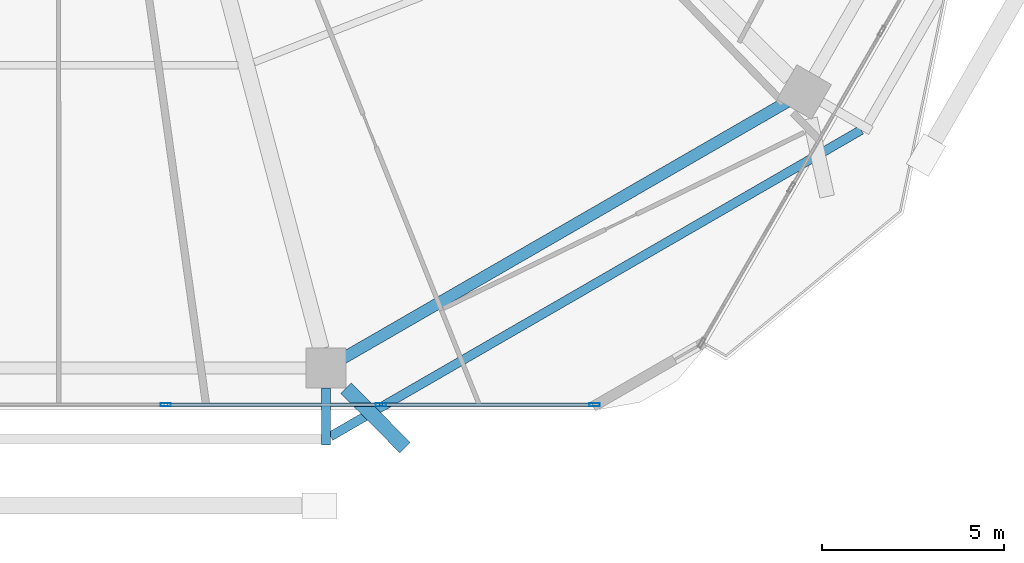
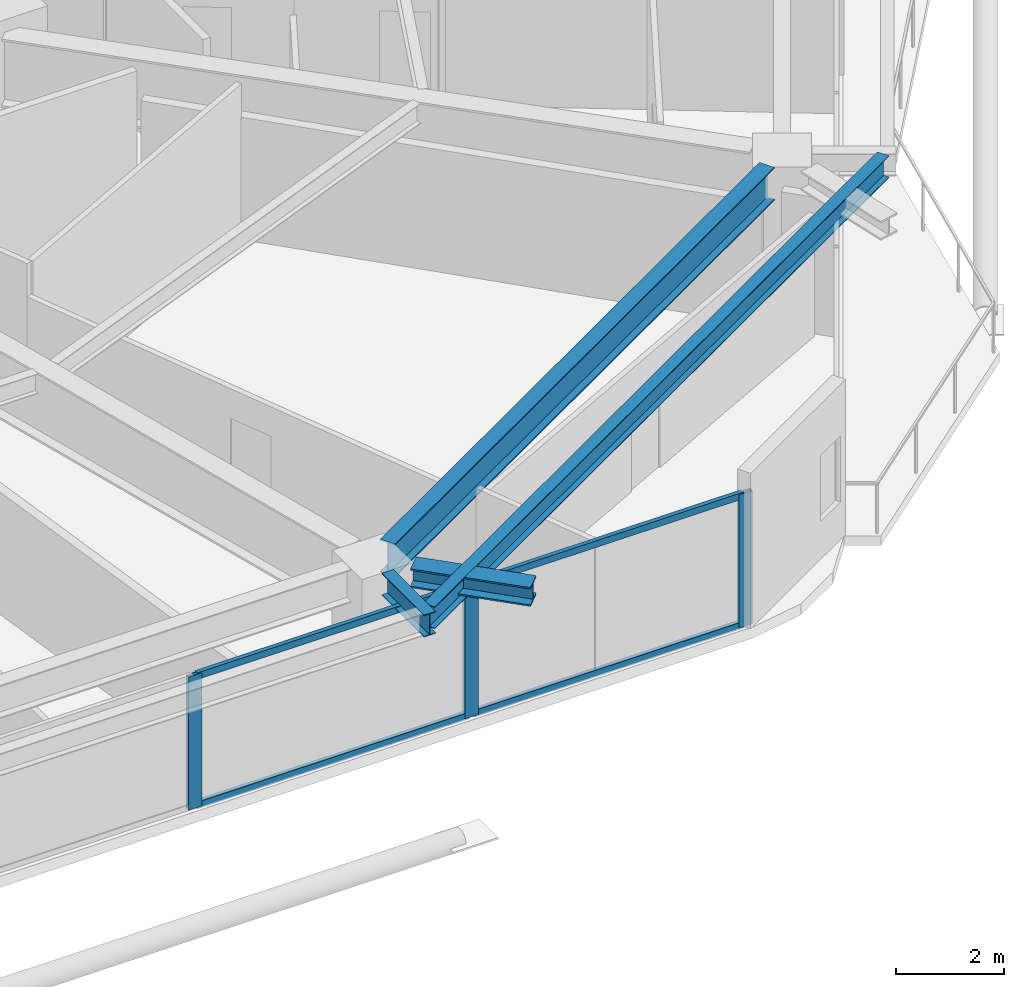
# One storey, part 7 of 33: 7 members, 4 beams, 1 element without a shape of its own.
"""IFC4 building model written with IfcOpenShell, lengths in metres."""

from ifc_helpers import new_model, si_unit, direction, frame, origin, origin_2d, place, context, subcontext, project, spatial, hollow_rectangle, i_section, extrude, material, material_profile, profile_set, type_object, element, aggregate, save


model = new_model("IFC4")

# Units and contexts
model_context = context("Model", 3, precision=1e-05, world=origin(), true_north=direction((0.0, 1.0)))
body_context = subcontext(model_context, "Body", "Model", "MODEL_VIEW")
ifc_project = project(units=[si_unit("LENGTHUNIT", "METRE"), si_unit("AREAUNIT", "SQUARE_METRE"), si_unit("VOLUMEUNIT", "CUBIC_METRE"), si_unit("PLANEANGLEUNIT", "RADIAN"), si_unit("MASSUNIT", "GRAM", prefix="KILO")], contexts=[model_context])

# Site, building, storey
site_placement = place(None, origin())
site = spatial("IfcSite", under=ifc_project, at=site_placement, CompositionType="ELEMENT")
building_placement = place(site_placement, origin())
building = spatial("IfcBuilding", under=site, at=building_placement, Name="Zuhravey Tower", CompositionType="ELEMENT")
storey_placement = place(building_placement, frame((0.0, 0.0, 141.800048828125)))
storey = spatial("IfcBuildingStorey", under=building, at=storey_placement, Name="L35", CompositionType="ELEMENT", Elevation=141.800048828125)

# Curtain wall, members
ifc_material_1 = material(Name="Thermally broken anodised aluminium", Category="aluminium")
curtain_wall_type = type_object("IfcCurtainWallType", Name="Zone 1-2 Residential Curtain Wall CW3", PredefinedType="NOTDEFINED", material=ifc_material_1)
curtain_wall_placement = place(storey_placement, origin())
curtain_wall = element("IfcCurtainWall", 1, at=curtain_wall_placement, inside=storey, type_object=curtain_wall_type, Name="L35 CW3 CW-L35-F5-1", PredefinedType="NOTDEFINED")
ifc_material_2 = material(Name="Anodised aluminium", Category="aluminium")
ifc_material_profile_1 = material_profile(ifc_material_2, hollow_rectangle(XDim=0.090087890625, YDim=0.284912109375, WallThickness=0.0048828125, at=origin_2d()), Name="ALU-RHS-90x285x5")
ifc_profile_set_1 = profile_set([ifc_material_profile_1], Name="Anodised aluminium")
member_type_1 = type_object("IfcMemberType", Name="Curtain-Wall Mullion 90x180", PredefinedType="MULLION", material=ifc_profile_set_1)
member_1_placement = place(storey_placement, frame((50.75439453125, 3.04150390625, 0.0), z_axis=(0.0, 0.0, 1.0), x_axis=(0.0, -1.0, 0.0)))
member_1 = element("IfcMember", 2, at=member_1_placement, type_object=member_type_1, Name="CW3 mullion 1", PredefinedType="MULLION", context=body_context, shape_type="SweptSolid", body=[
    extrude(hollow_rectangle(XDim=0.090087890625, YDim=0.284912109375, WallThickness=0.0048828125, at=origin_2d()), origin(), (0.0, 0.0, 1.0), 3.02001953125),
])
member_2_placement = place(storey_placement, frame((44.879638671875, 3.04150390625, 0.0), z_axis=(0.0, 0.0, 1.0), x_axis=(0.0, -1.0, 0.0)))
member_2 = element("IfcMember", 3, at=member_2_placement, type_object=member_type_1, Name="CW3 mullion 2", PredefinedType="MULLION", context=body_context, shape_type="SweptSolid", body=[
    extrude(hollow_rectangle(XDim=0.090087890625, YDim=0.284912109375, WallThickness=0.0048828125, at=origin_2d()), origin(), (0.0, 0.0, 1.0), 3.02001953125),
])
member_3_placement = place(storey_placement, frame((38.9599609375, 3.04150390625, 0.0), z_axis=(0.0, 0.0, 1.0), x_axis=(0.0, -1.0, 0.0)))
member_3 = element("IfcMember", 4, at=member_3_placement, type_object=member_type_1, Name="CW3 mullion 3", PredefinedType="MULLION", context=body_context, shape_type="SweptSolid", body=[
    extrude(hollow_rectangle(XDim=0.090087890625, YDim=0.284912109375, WallThickness=0.0048828125, at=origin_2d()), origin(), (0.0, 0.0, 1.0), 3.02001953125),
])
ifc_material_profile_2 = material_profile(ifc_material_2, hollow_rectangle(XDim=0.090087890625, YDim=0.14990234375, WallThickness=0.0048828125, at=origin_2d()), Name="ALU-RHS-90x150x5")
ifc_profile_set_2 = profile_set([ifc_material_profile_2], Name="Anodised aluminium")
member_type_2 = type_object("IfcMemberType", Name="Curtain-Wall Transom 90x150", PredefinedType="USERDEFINED", material=ifc_profile_set_2)
member_4_placement = place(storey_placement, frame((50.70947265625, 3.04150390625, 0.044921875), z_axis=(-1.0, 0.0, 0.0), x_axis=(0.0, -1.0, 0.0)))
member_4 = element("IfcMember", 5, at=member_4_placement, type_object=member_type_2, Name="CW3 transom 1.1", ObjectType="TRANSOM", PredefinedType="USERDEFINED", context=body_context, shape_type="SweptSolid", body=[
    extrude(hollow_rectangle(XDim=0.090087890625, YDim=0.14990234375, WallThickness=0.0048828125, at=origin_2d()), origin(), (0.0, 0.0, 1.0), 5.78466796875),
])
member_5_placement = place(storey_placement, frame((50.70947265625, 3.04150390625, 2.974853515625), z_axis=(-1.0, 0.0, 0.0), x_axis=(0.0, -1.0, 0.0)))
member_5 = element("IfcMember", 6, at=member_5_placement, type_object=member_type_2, Name="CW3 transom 1.2", ObjectType="TRANSOM", PredefinedType="USERDEFINED", context=body_context, shape_type="SweptSolid", body=[
    extrude(hollow_rectangle(XDim=0.090087890625, YDim=0.14990234375, WallThickness=0.0048828125, at=origin_2d()), origin(), (0.0, 0.0, 1.0), 5.78466796875),
])
member_6_placement = place(storey_placement, frame((44.834716796875, 3.04150390625, 0.044921875), z_axis=(-1.0, 0.0, 0.0), x_axis=(0.0, -1.0, 0.0)))
member_6 = element("IfcMember", 7, at=member_6_placement, type_object=member_type_2, Name="CW3 transom 2.1", ObjectType="TRANSOM", PredefinedType="USERDEFINED", context=body_context, shape_type="SweptSolid", body=[
    extrude(hollow_rectangle(XDim=0.090087890625, YDim=0.14990234375, WallThickness=0.0048828125, at=origin_2d()), origin(), (0.0, 0.0, 1.0), 5.829833984375),
])
member_7_placement = place(storey_placement, frame((44.834716796875, 3.04150390625, 2.974853515625), z_axis=(-1.0, 0.0, 0.0), x_axis=(0.0, -1.0, 0.0)))
member_7 = element("IfcMember", 8, at=member_7_placement, type_object=member_type_2, Name="CW3 transom 2.2", ObjectType="TRANSOM", PredefinedType="USERDEFINED", context=body_context, shape_type="SweptSolid", body=[
    extrude(hollow_rectangle(XDim=0.090087890625, YDim=0.14990234375, WallThickness=0.0048828125, at=origin_2d()), origin(), (0.0, 0.0, 1.0), 5.829833984375),
])
aggregate(curtain_wall, [member_1, member_2, member_3, member_4, member_5, member_6, member_7])

# Beams
ifc_material_3 = material(Name="Steel SM460", Category="steel")
ifc_material_profile_3 = material_profile(ifc_material_3, i_section(OverallWidth=0.406982421875, OverallDepth=0.427978515625, WebThickness=0.02001953125, FlangeThickness=0.034912109375, at=origin_2d()), Name="H-428x407x20x35")
ifc_profile_set_3 = profile_set([ifc_material_profile_3], Name="Steel SM460")
beam_type_1 = type_object("IfcBeamType", Name="Exoskeleton Node Tie Beam H428x407", PredefinedType="BEAM", material=ifc_profile_set_3)
beam_1_placement = place(storey_placement, frame((43.91796875, 3.498779296875, 3.305908203125), z_axis=(0.70392977303, -0.710269578851, 0.0), x_axis=(0.710269578851, 0.70392977303, 0.0)))
element("IfcBeam", 9, at=beam_1_placement, inside=storey, type_object=beam_type_1, Name="L35 Exoskeleton Node Tie NT1-10", PredefinedType="BEAM", context=body_context, shape_type="SweptSolid", body=[
    extrude(i_section(OverallWidth=0.406982421875, OverallDepth=0.427978515625, WebThickness=0.02001953125, FlangeThickness=0.034912109375, at=origin_2d()), origin(), (0.0, 0.0, 1.0), 2.310546875),
])
ifc_material_4 = material(Name="Steel SM355", Category="steel")
ifc_material_profile_4 = material_profile(ifc_material_4, i_section(OverallWidth=0.320068359375, OverallDepth=0.75, WebThickness=0.013916015625, FlangeThickness=0.02490234375, at=origin_2d()), Name="H-750x320x14x25")
ifc_profile_set_4 = profile_set([ifc_material_profile_4], Name="Steel SM355")
beam_type_2 = type_object("IfcBeamType", Name="Perimeter Ring Beam H750x320", PredefinedType="BEAM", material=ifc_profile_set_4)
beam_2_placement = place(storey_placement, frame((43.848876953125, 4.327880859375, 3.14501953125), z_axis=(0.866017786538, 0.500013193225, 0.0), x_axis=(-0.500013193225, 0.866017786538, 0.0)))
element("IfcBeam", 10, at=beam_2_placement, inside=storey, type_object=beam_type_2, Name="L35 PB1 BM-L35-PB-10", PredefinedType="BEAM", context=body_context, shape_type="SweptSolid", body=[
    extrude(i_section(OverallWidth=0.320068359375, OverallDepth=0.75, WebThickness=0.013916015625, FlangeThickness=0.02490234375, at=origin_2d()), origin(), (0.0, 0.0, 1.0), 14.0771484375),
])
ifc_material_profile_5 = material_profile(ifc_material_4, i_section(OverallWidth=0.25, OverallDepth=0.5, WebThickness=0.010009765625, FlangeThickness=0.01611328125, at=origin_2d()), Name="H-500x250x10x16")
ifc_profile_set_5 = profile_set([ifc_material_profile_5], Name="Steel SM355")
beam_type_3 = type_object("IfcBeamType", Name="Tray Cantilever Spandrel H500x250", PredefinedType="SPANDREL", material=ifc_profile_set_5)
beam_3_placement = place(storey_placement, frame((43.3701171875, 3.49755859375, 3.27001953125), z_axis=(0.0, -1.0, 0.0), x_axis=(1.0, 0.0, 0.0)))
element("IfcBeam", 11, at=beam_3_placement, inside=storey, type_object=beam_type_3, Name="L35 Sky-Tray Cantilever Arm TSB1-R10", PredefinedType="SPANDREL", context=body_context, shape_type="SweptSolid", body=[
    extrude(i_section(OverallWidth=0.25, OverallDepth=0.5, WebThickness=0.010009765625, FlangeThickness=0.01611328125, at=origin_2d()), origin(), (0.0, 0.0, 1.0), 1.566162109375),
])
beam_4_placement = place(storey_placement, frame((43.4912109375, 2.17138671875, 3.27001953125), z_axis=(0.866020095686, 0.500009193783, 0.0), x_axis=(-0.500009193783, 0.866020095686, 0.0)))
element("IfcBeam", 12, at=beam_4_placement, inside=storey, type_object=beam_type_3, Name="L35 Sky-Tray Edge Spandrel TSB1-10", PredefinedType="SPANDREL", context=body_context, shape_type="SweptSolid", body=[
    extrude(i_section(OverallWidth=0.25, OverallDepth=0.5, WebThickness=0.010009765625, FlangeThickness=0.01611328125, at=origin_2d()), origin(), (0.0, 0.0, 1.0), 16.853271484375),
])

save(model, "model.ifc")
